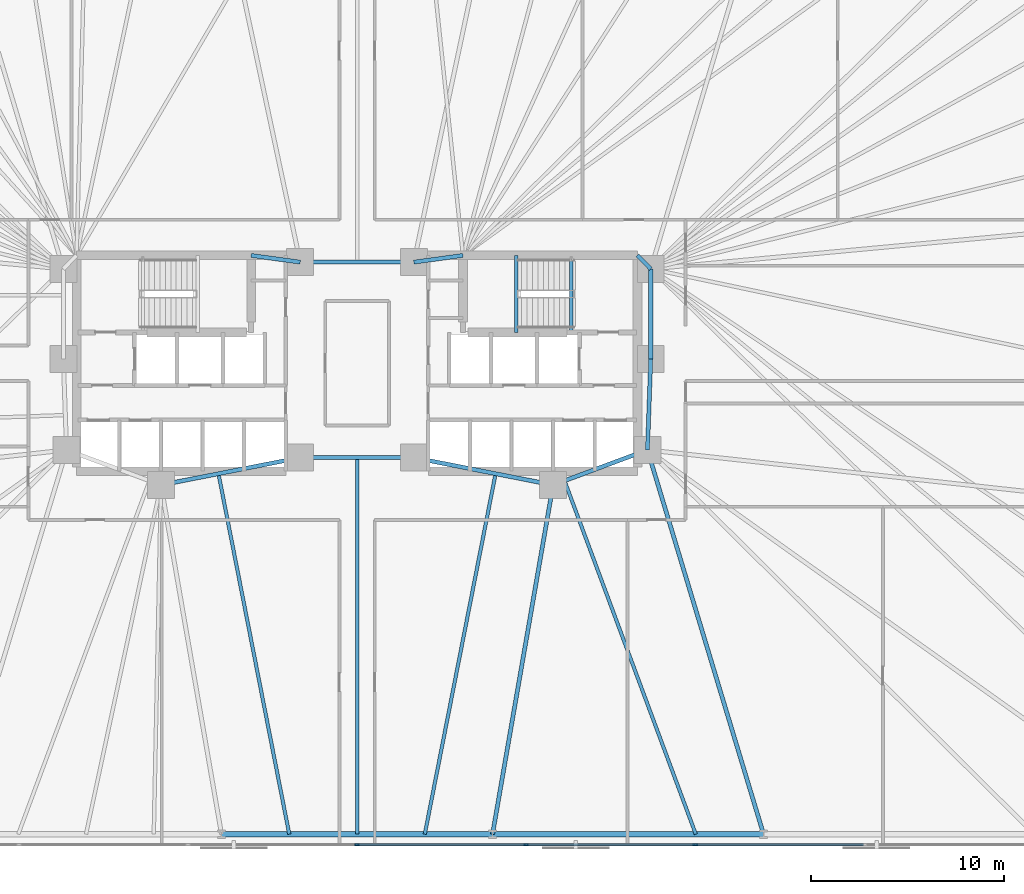
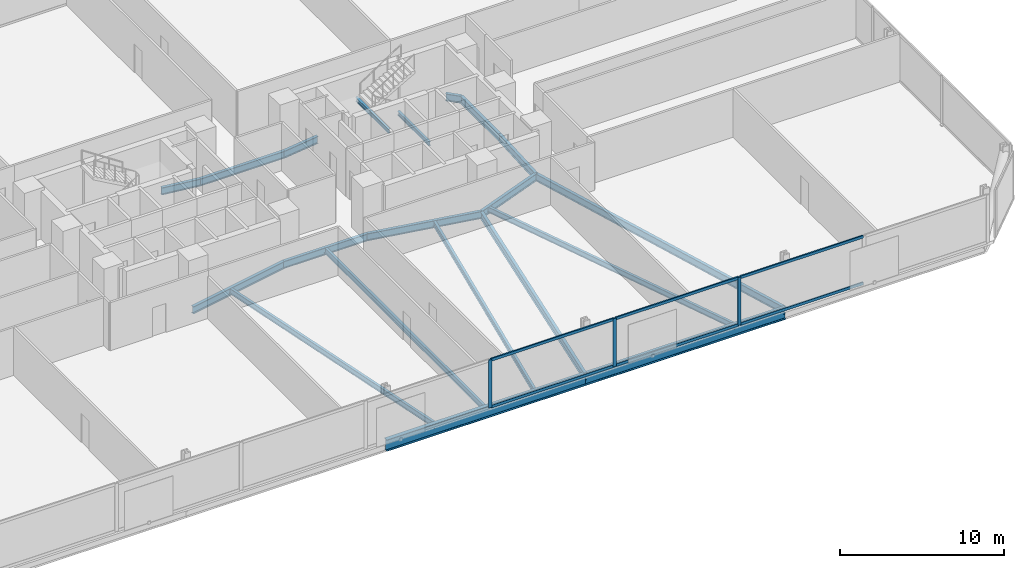
# One storey, part 7 of 17: 20 beams, 9 members, 1 element without a shape of its own.
"""IFC4 building model written with IfcOpenShell, lengths in metres."""

from ifc_helpers import new_model, si_unit, direction, frame, origin, origin_2d, place, context, subcontext, project, spatial, rectangle, i_section, extrude, material, material_profile, profile_set, type_object, element, aggregate, save


model = new_model("IFC4")

# Units and contexts
model_context = context("Model", 3, precision=1e-05, world=origin(), true_north=direction((0.0, 1.0)))
body_context = subcontext(model_context, "Body", "Model", "MODEL_VIEW")
ifc_project = project(units=[si_unit("LENGTHUNIT", "METRE"), si_unit("AREAUNIT", "SQUARE_METRE"), si_unit("VOLUMEUNIT", "CUBIC_METRE"), si_unit("PLANEANGLEUNIT", "RADIAN"), si_unit("MASSUNIT", "GRAM", prefix="KILO")], contexts=[model_context])

# Site, building, storey
site_placement = place(None, origin())
site = spatial("IfcSite", under=ifc_project, at=site_placement, CompositionType="ELEMENT")
building_placement = place(site_placement, origin())
building = spatial("IfcBuilding", under=site, at=building_placement, Name="Menara Jurai Vektor", CompositionType="ELEMENT")
storey_placement = place(building_placement, frame((0.0, 0.0, 71.199951171875)))
storey = spatial("IfcBuildingStorey", under=building, at=storey_placement, Name="L17", CompositionType="ELEMENT", Elevation=71.199951171875)

# Curtain wall, members
ifc_material_1 = material(Name="Anodised Pale Aluminium & Low-E Double Glazing", Category="aluminium")
curtain_wall_type = type_object("IfcCurtainWallType", Name="CW-BLK1", PredefinedType="NOTDEFINED", material=ifc_material_1)
curtain_wall_placement = place(storey_placement, origin())
curtain_wall = element("IfcCurtainWall", 1, at=curtain_wall_placement, inside=storey, type_object=curtain_wall_type, Name="Unitised Curtain Wall L17 F01", PredefinedType="NOTDEFINED")
ifc_material_2 = material(Name="Anodised Pale Aluminium Mullion", Category="aluminium")
ifc_material_profile_1 = material_profile(ifc_material_2, rectangle(XDim=0.094970703125, YDim=0.239990234375, at=origin_2d()), Name="ALU MUL 95x240")
ifc_profile_set_1 = profile_set([ifc_material_profile_1], Name="Anodised Pale Aluminium Mullion")
member_type_1 = type_object("IfcMemberType", Name="CW-BLK1-MUL", PredefinedType="MULLION", material=ifc_profile_set_1)
member_1_placement = place(storey_placement, frame((0.0, -25.0, 0.0), z_axis=(0.0, 0.0, 1.0), x_axis=(0.0, 1.0, 0.0)))
member_1 = element("IfcMember", 2, at=member_1_placement, type_object=member_type_1, Name="CW-01 mullion 5", PredefinedType="MULLION", context=body_context, shape_type="SweptSolid", body=[
    extrude(rectangle(XDim=0.094970703125, YDim=0.239990234375, at=origin_2d()), origin(), (0.0, 0.0, 1.0), 3.574951171875),
])
member_2_placement = place(storey_placement, frame((8.780029296875, -25.0, 0.0), z_axis=(0.0, 0.0, 1.0), x_axis=(0.0, 1.0, 0.0)))
member_2 = element("IfcMember", 3, at=member_2_placement, type_object=member_type_1, Name="CW-01 mullion 6", PredefinedType="MULLION", context=body_context, shape_type="SweptSolid", body=[
    extrude(rectangle(XDim=0.094970703125, YDim=0.239990234375, at=origin_2d()), origin(), (0.0, 0.0, 1.0), 3.574951171875),
])
member_3_placement = place(storey_placement, frame((17.56005859375, -25.0, 0.0), z_axis=(0.0, 0.0, 1.0), x_axis=(0.0, 1.0, 0.0)))
member_3 = element("IfcMember", 4, at=member_3_placement, type_object=member_type_1, Name="CW-01 mullion 7", PredefinedType="MULLION", context=body_context, shape_type="SweptSolid", body=[
    extrude(rectangle(XDim=0.094970703125, YDim=0.239990234375, at=origin_2d()), origin(), (0.0, 0.0, 1.0), 3.574951171875),
])
ifc_material_3 = material(Name="Anodised Pale Aluminium Transom", Category="aluminium")
ifc_material_profile_2 = material_profile(ifc_material_3, rectangle(XDim=0.094970703125, YDim=0.199951171875, at=origin_2d()), Name="ALU TRN 95x200")
ifc_profile_set_2 = profile_set([ifc_material_profile_2], Name="Anodised Pale Aluminium Transom")
member_type_2 = type_object("IfcMemberType", Name="CW-BLK1-TRN", PredefinedType="USERDEFINED", material=ifc_profile_set_2)
member_4_placement = place(storey_placement, frame((0.047607421875, -25.0, 0.047607421875), z_axis=(1.0, 0.0, 0.0), x_axis=(0.0, 1.0, 0.0)))
member_4 = element("IfcMember", 5, at=member_4_placement, type_object=member_type_2, Name="CW-01 transom 5.1", ObjectType="TRANSOM", PredefinedType="USERDEFINED", context=body_context, shape_type="SweptSolid", body=[
    extrude(rectangle(XDim=0.094970703125, YDim=0.199951171875, at=origin_2d()), origin(), (0.0, 0.0, 1.0), 8.684814453125),
])
member_5_placement = place(storey_placement, frame((0.047607421875, -25.0, 3.527587890625), z_axis=(1.0, 0.0, 0.0), x_axis=(0.0, 1.0, 0.0)))
member_5 = element("IfcMember", 6, at=member_5_placement, type_object=member_type_2, Name="CW-01 transom 5.2", ObjectType="TRANSOM", PredefinedType="USERDEFINED", context=body_context, shape_type="SweptSolid", body=[
    extrude(rectangle(XDim=0.094970703125, YDim=0.199951171875, at=origin_2d()), origin(), (0.0, 0.0, 1.0), 8.684814453125),
])
member_6_placement = place(storey_placement, frame((8.827392578125, -25.0, 0.047607421875), z_axis=(1.0, 0.0, 0.0), x_axis=(0.0, 1.0, 0.0)))
member_6 = element("IfcMember", 7, at=member_6_placement, type_object=member_type_2, Name="CW-01 transom 6.1", ObjectType="TRANSOM", PredefinedType="USERDEFINED", context=body_context, shape_type="SweptSolid", body=[
    extrude(rectangle(XDim=0.094970703125, YDim=0.199951171875, at=origin_2d()), origin(), (0.0, 0.0, 1.0), 8.68505859375),
])
member_7_placement = place(storey_placement, frame((8.827392578125, -25.0, 3.527587890625), z_axis=(1.0, 0.0, 0.0), x_axis=(0.0, 1.0, 0.0)))
member_7 = element("IfcMember", 8, at=member_7_placement, type_object=member_type_2, Name="CW-01 transom 6.2", ObjectType="TRANSOM", PredefinedType="USERDEFINED", context=body_context, shape_type="SweptSolid", body=[
    extrude(rectangle(XDim=0.094970703125, YDim=0.199951171875, at=origin_2d()), origin(), (0.0, 0.0, 1.0), 8.68505859375),
])
member_8_placement = place(storey_placement, frame((17.607421875, -25.0, 0.047607421875), z_axis=(1.0, 0.0, 0.0), x_axis=(0.0, 1.0, 0.0)))
member_8 = element("IfcMember", 9, at=member_8_placement, type_object=member_type_2, Name="CW-01 transom 7.1", ObjectType="TRANSOM", PredefinedType="USERDEFINED", context=body_context, shape_type="SweptSolid", body=[
    extrude(rectangle(XDim=0.094970703125, YDim=0.199951171875, at=origin_2d()), origin(), (0.0, 0.0, 1.0), 8.68505859375),
])
member_9_placement = place(storey_placement, frame((17.607421875, -25.0, 3.527587890625), z_axis=(1.0, 0.0, 0.0), x_axis=(0.0, 1.0, 0.0)))
member_9 = element("IfcMember", 10, at=member_9_placement, type_object=member_type_2, Name="CW-01 transom 7.2", ObjectType="TRANSOM", PredefinedType="USERDEFINED", context=body_context, shape_type="SweptSolid", body=[
    extrude(rectangle(XDim=0.094970703125, YDim=0.199951171875, at=origin_2d()), origin(), (0.0, 0.0, 1.0), 8.68505859375),
])
aggregate(curtain_wall, [member_1, member_2, member_3, member_4, member_5, member_6, member_7, member_8, member_9])

# Beams
ifc_material_4 = material(Name="Steel S355", Category="steel")
ifc_material_profile_3 = material_profile(ifc_material_4, i_section(OverallWidth=0.2109375, OverallDepth=0.5390625, WebThickness=0.011962890625, FlangeThickness=0.01904296875, FilletRadius=0.012939453125, at=origin_2d()), Name="UKB 533x210x109")
ifc_profile_set_3 = profile_set([ifc_material_profile_3], Name="Steel S355")
beam_type_1 = type_object("IfcBeamType", Name="STR-BM-533", PredefinedType="BEAM", material=ifc_profile_set_3)
beam_1_placement = place(storey_placement, frame((-5.5, 5.60009765625, -0.494384765625), z_axis=(0.990706818608, -0.136014703483, 0.0), x_axis=(0.136014703483, 0.990706818608, 0.0)))
element("IfcBeam", 11, at=beam_1_placement, inside=storey, type_object=beam_type_1, Name="Core Ring Header Girder L17-CHW-N2", PredefinedType="BEAM", context=body_context, shape_type="SweptSolid", body=[
    extrude(i_section(OverallWidth=0.2109375, OverallDepth=0.5390625, WebThickness=0.011962890625, FlangeThickness=0.01904296875, FilletRadius=0.012939453125, at=origin_2d()), origin(), (0.0, 0.0, 1.0), 2.573974609375),
])
beam_2_placement = place(storey_placement, frame((-10.179931640625, -6.320068359375, -0.494384765625), z_axis=(0.981249044334, 0.192744164614, 0.0), x_axis=(-0.192744164614, 0.981249044334, 0.0)))
element("IfcBeam", 12, at=beam_2_placement, inside=storey, type_object=beam_type_1, Name="Core Ring Header Girder L17-CHW-S2", PredefinedType="BEAM", context=body_context, shape_type="SweptSolid", body=[
    extrude(i_section(OverallWidth=0.2109375, OverallDepth=0.5390625, WebThickness=0.011962890625, FlangeThickness=0.01904296875, FilletRadius=0.012939453125, at=origin_2d()), origin(), (0.0, 0.0, 1.0), 7.3681640625),
])
beam_3_placement = place(storey_placement, frame((2.949951171875, 5.25, -0.494384765625), z_axis=(0.990706818608, 0.136014703483, 0.0), x_axis=(-0.136014703483, 0.990706818608, 0.0)))
element("IfcBeam", 13, at=beam_3_placement, inside=storey, type_object=beam_type_1, Name="Core Ring Header Girder L17-CHE-N1", PredefinedType="BEAM", context=body_context, shape_type="SweptSolid", body=[
    extrude(i_section(OverallWidth=0.2109375, OverallDepth=0.5390625, WebThickness=0.011962890625, FlangeThickness=0.01904296875, FilletRadius=0.012939453125, at=origin_2d()), origin(), (0.0, 0.0, 1.0), 2.573974609375),
])
beam_4_placement = place(storey_placement, frame((14.56005859375, 5.60009765625, -0.494384765625), z_axis=(0.701871936926, -0.712303154672, 0.0), x_axis=(0.712303154672, 0.701871936926, 0.0)))
element("IfcBeam", 14, at=beam_4_placement, inside=storey, type_object=beam_type_1, Name="Core Ring Header Girder L17-CHE-N2", PredefinedType="BEAM", context=body_context, shape_type="SweptSolid", body=[
    extrude(i_section(OverallWidth=0.2109375, OverallDepth=0.5390625, WebThickness=0.011962890625, FlangeThickness=0.01904296875, FilletRadius=0.012939453125, at=origin_2d()), origin(), (0.0, 0.0, 1.0), 0.98291015625),
])
beam_5_placement = place(storey_placement, frame((15.25, 0.219970703125, -0.494384765625), z_axis=(0.0, 1.0, 0.0), x_axis=(-1.0, 0.0, 0.0)))
element("IfcBeam", 15, at=beam_5_placement, inside=storey, type_object=beam_type_1, Name="Core Ring Header Girder L17-CHE-E1", PredefinedType="BEAM", context=body_context, shape_type="SweptSolid", body=[
    extrude(i_section(OverallWidth=0.2109375, OverallDepth=0.5390625, WebThickness=0.011962890625, FlangeThickness=0.01904296875, FilletRadius=0.012939453125, at=origin_2d()), origin(), (0.0, 0.0, 1.0), 4.679931640625),
])
beam_6_placement = place(storey_placement, frame((15.080078125, -4.5, -0.494384765625), z_axis=(0.035977314146, 0.999352606874, 0.0), x_axis=(-0.999352606874, 0.035977314146, 0.0)))
element("IfcBeam", 16, at=beam_6_placement, inside=storey, type_object=beam_type_1, Name="Core Ring Header Girder L17-CHE-E2", PredefinedType="BEAM", context=body_context, shape_type="SweptSolid", body=[
    extrude(i_section(OverallWidth=0.2109375, OverallDepth=0.5390625, WebThickness=0.011962890625, FlangeThickness=0.01904296875, FilletRadius=0.012939453125, at=origin_2d()), origin(), (0.0, 0.0, 1.0), 4.72314453125),
])
beam_7_placement = place(storey_placement, frame((10.179931640625, -6.320068359375, -0.494384765625), z_axis=(0.937424400887, 0.348188874925, 0.0), x_axis=(-0.348188874925, 0.937424400887, 0.0)))
element("IfcBeam", 17, at=beam_7_placement, inside=storey, type_object=beam_type_1, Name="Core Ring Header Girder L17-CHE-S1", PredefinedType="BEAM", context=body_context, shape_type="SweptSolid", body=[
    extrude(i_section(OverallWidth=0.2109375, OverallDepth=0.5390625, WebThickness=0.011962890625, FlangeThickness=0.01904296875, FilletRadius=0.012939453125, at=origin_2d()), origin(), (0.0, 0.0, 1.0), 5.227294921875),
])
beam_8_placement = place(storey_placement, frame((2.949951171875, -4.89990234375, -0.494384765625), z_axis=(0.981249044334, -0.192744164614, 0.0), x_axis=(0.192744164614, 0.981249044334, 0.0)))
element("IfcBeam", 18, at=beam_8_placement, inside=storey, type_object=beam_type_1, Name="Core Ring Header Girder L17-CHE-S2", PredefinedType="BEAM", context=body_context, shape_type="SweptSolid", body=[
    extrude(i_section(OverallWidth=0.2109375, OverallDepth=0.5390625, WebThickness=0.011962890625, FlangeThickness=0.01904296875, FilletRadius=0.012939453125, at=origin_2d()), origin(), (0.0, 0.0, 1.0), 7.3681640625),
])
for number, where, z_axis, x_axis, name in (
    (19, (-2.949951171875, -4.89990234375, -0.494384765625), (1.0, 0.0, 0.0), (0.0, 1.0, 0.0), "Core Ring Header Girder L17-CC-1"),
    (20, (-2.949951171875, 5.25, -0.494384765625), (1.0, 0.0, 0.0), (0.0, 1.0, 0.0), "Core Ring Header Girder L17-CC-2"),
):
    element("IfcBeam", number, at=place(storey_placement, frame(where, z_axis=z_axis, x_axis=x_axis)), inside=storey, type_object=beam_type_1, Name=name, PredefinedType="BEAM", context=body_context, shape_type="SweptSolid", body=[
        extrude(i_section(OverallWidth=0.2109375, OverallDepth=0.5390625, WebThickness=0.011962890625, FlangeThickness=0.01904296875, FilletRadius=0.012939453125, at=origin_2d()), origin(), (0.0, 0.0, 1.0), 5.89990234375),
    ])
beam_9_placement = place(storey_placement, frame((7.03564453125, -24.449951171875, -0.494384765625), z_axis=(0.170880325642, 0.985291791455, 0.0), x_axis=(-0.985291791455, 0.170880325642, 0.0)))
element("IfcBeam", 21, at=beam_9_placement, inside=storey, type_object=beam_type_1, Name="Radial Floor Girder L17-S4", PredefinedType="BEAM", context=body_context, shape_type="SweptSolid", body=[
    extrude(i_section(OverallWidth=0.2109375, OverallDepth=0.5390625, WebThickness=0.011962890625, FlangeThickness=0.01904296875, FilletRadius=0.012939453125, at=origin_2d()), origin(), (0.0, 0.0, 1.0), 18.400634765625),
])
beam_10_placement = place(storey_placement, frame((21.106689453125, -24.449951171875, -0.494384765625), z_axis=(-0.289179812203, 0.957274796604, 0.0), x_axis=(-0.957274796604, -0.289179812203, 0.0)))
element("IfcBeam", 22, at=beam_10_placement, inside=storey, type_object=beam_type_1, Name="Radial Floor Girder L17-S5", PredefinedType="BEAM", context=body_context, shape_type="SweptSolid", body=[
    extrude(i_section(OverallWidth=0.2109375, OverallDepth=0.5390625, WebThickness=0.011962890625, FlangeThickness=0.01904296875, FilletRadius=0.012939453125, at=origin_2d()), origin(), (0.0, 0.0, 1.0), 20.84033203125),
])
ifc_material_profile_4 = material_profile(ifc_material_4, i_section(OverallWidth=0.178955078125, OverallDepth=0.408935546875, WebThickness=0.009033203125, FlangeThickness=0.013916015625, FilletRadius=0.010009765625, at=origin_2d()), Name="UKB 406x178x67")
ifc_profile_set_4 = profile_set([ifc_material_profile_4], Name="Steel S355")
beam_type_2 = type_object("IfcBeamType", Name="STR-JS-406", PredefinedType="JOIST", material=ifc_profile_set_4)
beam_11_placement = place(storey_placement, frame((-3.517822265625, -24.449951171875, -0.429443359375), z_axis=(-0.192723076671, 0.981253186348, 0.0), x_axis=(-0.981253186348, -0.192723076671, 0.0)))
element("IfcBeam", 23, at=beam_11_placement, inside=storey, type_object=beam_type_2, Name="Radial Secondary Floor Joist L17-JS04", PredefinedType="JOIST", context=body_context, shape_type="SweptSolid", body=[
    extrude(i_section(OverallWidth=0.178955078125, OverallDepth=0.408935546875, WebThickness=0.009033203125, FlangeThickness=0.013916015625, FilletRadius=0.010009765625, at=origin_2d()), origin(), (0.0, 0.0, 1.0), 19.07421875),
])
beam_12_placement = place(storey_placement, frame((0.0, -24.449951171875, -0.429443359375), z_axis=(0.0, 1.0, 0.0), x_axis=(-1.0, 0.0, 0.0)))
element("IfcBeam", 24, at=beam_12_placement, inside=storey, type_object=beam_type_2, Name="Radial Secondary Floor Joist L17-JS05", PredefinedType="JOIST", context=body_context, shape_type="SweptSolid", body=[
    extrude(i_section(OverallWidth=0.178955078125, OverallDepth=0.408935546875, WebThickness=0.009033203125, FlangeThickness=0.013916015625, FilletRadius=0.010009765625, at=origin_2d()), origin(), (0.0, 0.0, 1.0), 19.550048828125),
])
beam_13_placement = place(storey_placement, frame((3.517822265625, -24.449951171875, -0.429443359375), z_axis=(0.192723076671, 0.981253186348, 0.0), x_axis=(-0.981253186348, 0.192723076671, 0.0)))
element("IfcBeam", 25, at=beam_13_placement, inside=storey, type_object=beam_type_2, Name="Radial Secondary Floor Joist L17-JS06", PredefinedType="JOIST", context=body_context, shape_type="SweptSolid", body=[
    extrude(i_section(OverallWidth=0.178955078125, OverallDepth=0.408935546875, WebThickness=0.009033203125, FlangeThickness=0.013916015625, FilletRadius=0.010009765625, at=origin_2d()), origin(), (0.0, 0.0, 1.0), 19.07421875),
])
beam_14_placement = place(storey_placement, frame((17.5888671875, -24.449951171875, -0.429443359375), z_axis=(-0.348179014223, 0.937428063403, 0.0), x_axis=(-0.937428063403, -0.348179014223, 0.0)))
element("IfcBeam", 26, at=beam_14_placement, inside=storey, type_object=beam_type_2, Name="Radial Secondary Floor Joist L17-JS07", PredefinedType="JOIST", context=body_context, shape_type="SweptSolid", body=[
    extrude(i_section(OverallWidth=0.178955078125, OverallDepth=0.408935546875, WebThickness=0.009033203125, FlangeThickness=0.013916015625, FilletRadius=0.010009765625, at=origin_2d()), origin(), (0.0, 0.0, 1.0), 19.5751953125),
])
ifc_material_profile_5 = material_profile(ifc_material_4, i_section(OverallWidth=0.1650390625, OverallDepth=0.302978515625, WebThickness=0.006103515625, FlangeThickness=0.010009765625, FilletRadius=0.009033203125, at=origin_2d()), Name="UKB 305x165x40")
ifc_profile_set_5 = profile_set([ifc_material_profile_5], Name="Steel S355")
beam_type_3 = type_object("IfcBeamType", Name="STR-LN-305", PredefinedType="LINTEL", material=ifc_profile_set_5)
beam_15_placement = place(storey_placement, frame((11.1201171875, 1.60009765625, -0.37646484375), z_axis=(0.0, 1.0, 0.0), x_axis=(-1.0, 0.0, 0.0)))
element("IfcBeam", 27, at=beam_15_placement, inside=storey, type_object=beam_type_3, Name="Stair Well Floor Trimmer ST2 L17", PredefinedType="LINTEL", context=body_context, shape_type="SweptSolid", body=[
    extrude(i_section(OverallWidth=0.1650390625, OverallDepth=0.302978515625, WebThickness=0.006103515625, FlangeThickness=0.010009765625, FilletRadius=0.009033203125, at=origin_2d()), origin(), (0.0, 0.0, 1.0), 3.81982421875),
])
beam_16_placement = place(storey_placement, frame((8.27001953125, 1.60009765625, 1.548583984375), z_axis=(0.0, 1.0, 0.0), x_axis=(-1.0, 0.0, 0.0)))
element("IfcBeam", 28, at=beam_16_placement, inside=storey, type_object=beam_type_3, Name="Stair Half-Landing Nosing Trimmer ST2-1 L17", PredefinedType="LINTEL", context=body_context, shape_type="SweptSolid", body=[
    extrude(i_section(OverallWidth=0.1650390625, OverallDepth=0.302978515625, WebThickness=0.006103515625, FlangeThickness=0.010009765625, FilletRadius=0.009033203125, at=origin_2d()), origin(), (0.0, 0.0, 1.0), 4.0),
])
ifc_material_5 = material(Name="Steel S460", Category="steel")
ifc_material_profile_6 = material_profile(ifc_material_5, i_section(OverallWidth=0.2939453125, OverallDepth=0.85107421875, WebThickness=0.01611328125, FlangeThickness=0.027099609375, FilletRadius=0.01806640625, at=origin_2d()), Name="UKB 838x292x226")
ifc_profile_set_6 = profile_set([ifc_material_profile_6], Name="Steel S460")
beam_type_4 = type_object("IfcBeamType", Name="STR-SP-838", PredefinedType="SPANDREL", material=ifc_profile_set_6)
beam_17_placement = place(storey_placement, frame((-7.03564453125, -24.449951171875, -0.650390625), z_axis=(1.0, 0.0, 0.0), x_axis=(0.0, 1.0, 0.0)))
element("IfcBeam", 29, at=beam_17_placement, inside=storey, type_object=beam_type_4, Name="Exoskeleton Spandrel Beam L17-03", PredefinedType="SPANDREL", context=body_context, shape_type="SweptSolid", body=[
    extrude(i_section(OverallWidth=0.2939453125, OverallDepth=0.85107421875, WebThickness=0.01611328125, FlangeThickness=0.027099609375, FilletRadius=0.01806640625, at=origin_2d()), origin(), (0.0, 0.0, 1.0), 14.0712890625),
])
beam_18_placement = place(storey_placement, frame((7.03564453125, -24.449951171875, -0.650390625), z_axis=(1.0, 0.0, 0.0), x_axis=(0.0, 1.0, 0.0)))
element("IfcBeam", 30, at=beam_18_placement, inside=storey, type_object=beam_type_4, Name="Exoskeleton Spandrel Beam L17-04", PredefinedType="SPANDREL", context=body_context, shape_type="SweptSolid", body=[
    extrude(i_section(OverallWidth=0.2939453125, OverallDepth=0.85107421875, WebThickness=0.01611328125, FlangeThickness=0.027099609375, FilletRadius=0.01806640625, at=origin_2d()), origin(), (0.0, 0.0, 1.0), 14.071044921875),
])

save(model, "model.ifc")
